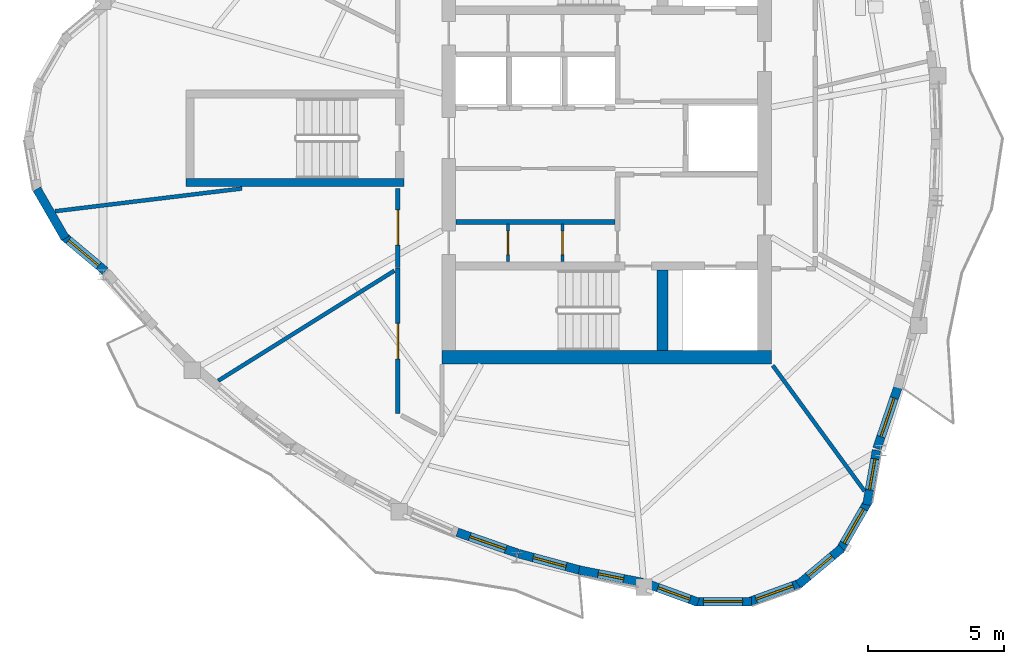
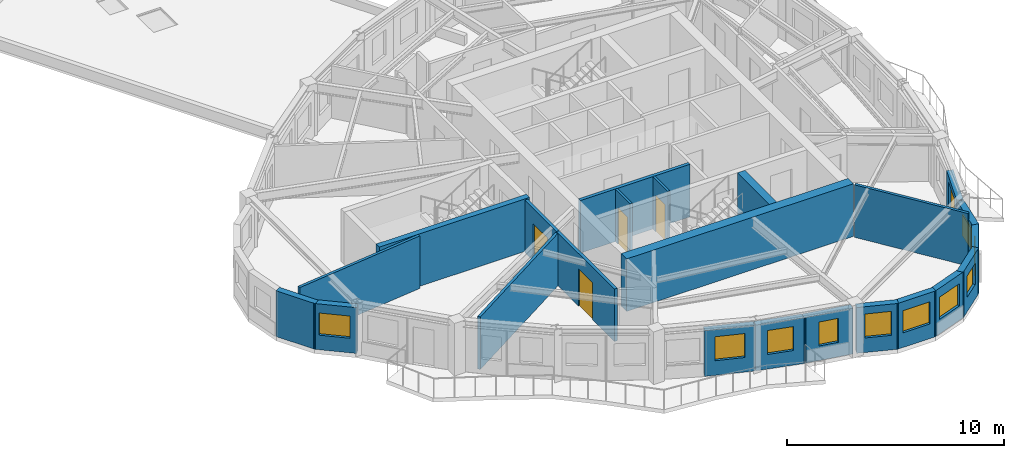
# One storey, part 3 of 11: 23 walls, 11 windows, 4 doors, 15 openings.
"""IFC4 building model written with IfcOpenShell, lengths in metres."""

from ifc_helpers import new_model, si_unit, direction, frame, frame_2d, origin, place, context, subcontext, project, spatial, rectangle, extrude, source, transform, mapped, material, layer, layer_set, type_object, element, fill, save


model = new_model("IFC4")

# Units and contexts
model_context = context("Model", 3, precision=1e-05, world=origin(), true_north=direction((0.0, 1.0)))
body_context = subcontext(model_context, "Body", "Model", "MODEL_VIEW")
ifc_project = project(units=[si_unit("LENGTHUNIT", "METRE"), si_unit("AREAUNIT", "SQUARE_METRE"), si_unit("VOLUMEUNIT", "CUBIC_METRE"), si_unit("PLANEANGLEUNIT", "RADIAN"), si_unit("MASSUNIT", "GRAM", prefix="KILO")], contexts=[model_context])

# Site, building, storey
site_placement = place(None, origin())
site = spatial("IfcSite", under=ifc_project, at=site_placement, CompositionType="ELEMENT")
building_placement = place(site_placement, origin())
building = spatial("IfcBuilding", under=site, at=building_placement, Name="Qafzar Sky-Pleat Residences", CompositionType="ELEMENT")
storey_placement = place(building_placement, frame((0.0, 0.0, 214.800048828125)))
storey = spatial("IfcBuildingStorey", under=building, at=storey_placement, Name="L64", CompositionType="ELEMENT", Elevation=214.800048828125)

# Wall, opening, door
ifc_material_1 = material(Name="Acoustic gypsum plasterboard partition", Category="gypsum")
ifc_layer_1 = layer(ifc_material_1, 0.159912109375)
ifc_layer_set_1 = layer_set([ifc_layer_1], Name="Acoustic gypsum plasterboard partition")
wall_type_1 = type_object("IfcWallType", Name="PART-COR-160", PredefinedType="PARTITIONING", material=ifc_layer_set_1)
wall_1_placement = place(storey_placement, frame((22.679931640625, 21.22607421875, 0.0), z_axis=(0.0, 0.0, 1.0), x_axis=(0.0, -1.0, 0.0)))
wall_1 = element("IfcWall", 1, at=wall_1_placement, inside=storey, type_object=wall_type_1, Name="L64 Partition Wall PART-L64-PW-003", PredefinedType="PARTITIONING", context=body_context, shape_type="SweptSolid", body=[
    extrude(rectangle(XDim=5.34814453125, YDim=0.159912109375, at=frame_2d((2.674072265625, 0.0))), origin(), (0.0, 0.0, 1.0), 2.9599609375),
])
opening_1_placement = place(wall_1_placement, frame((2.032470703125, 0.0, 0.0)))
opening_1 = element("IfcOpeningElement", 2, at=opening_1_placement, cuts=wall_1, Name="Opening ID-05", PredefinedType="OPENING", context=body_context, shape_type="SweptSolid", body=[
    extrude(rectangle(XDim=1.300048828125, YDim=2.10009765625, at=frame_2d((0.64990234375, 1.050048828125))), frame((0.0, 0.08984375, 0.0), z_axis=(0.0, -1.0, 0.0), x_axis=(1.0, 0.0, 0.0)), (0.0, 0.0, 1.0), 0.179931640625),
])
ifc_material_2 = material(Name="Timber-faced fire door", Category="wood")
door_type_1 = type_object("IfcDoorType", Name="DR-LNG-1300", OperationType="DOUBLE_DOOR_SINGLE_SWING", PredefinedType="DOOR", material=ifc_material_2)
shared_shape_1 = source(origin(), body_context, "Body", "SweptSolid", [
    extrude(rectangle(XDim=1.300048828125, YDim=2.10009765625, at=frame_2d((0.64990234375, 1.050048828125))), frame((0.0, 0.02490234375, 0.0), z_axis=(0.0, -1.0, 0.0), x_axis=(1.0, 0.0, 0.0)), (0.0, 0.0, 1.0), 0.050048828125),
])
door_1_placement = place(opening_1_placement, origin())
door_1 = element("IfcDoor", 3, at=door_1_placement, inside=storey, type_object=door_type_1, Name="L64 Academic Seminar Room Door", OperationType="DOUBLE_DOOR_SINGLE_SWING", OverallHeight=2.10009765625, OverallWidth=1.300048828125, PredefinedType="DOOR", context=body_context, shape_type="MappedRepresentation", body=[
    mapped(shared_shape_1, transform((0.0, 0.0, 0.0), x_axis=(1.0, 0.0, 0.0), y_axis=(0.0, 1.0, 0.0), z_axis=(0.0, 0.0, 1.0), scale=1.0)),
])
fill(opening_1, door_1)

wall_2_placement = place(storey_placement, frame((22.679931640625, 21.240966796875, 0.0), z_axis=(0.0, 0.0, 1.0), x_axis=(0.0, 1.0, 0.0)))
wall_2 = element("IfcWall", 4, at=wall_2_placement, inside=storey, type_object=wall_type_1, Name="L64 Partition Wall PART-L64-PW-008", PredefinedType="PARTITIONING", context=body_context, shape_type="SweptSolid", body=[
    extrude(rectangle(XDim=2.908935546875, YDim=0.159912109375, at=frame_2d((1.45458984375, 0.0))), origin(), (0.0, 0.0, 1.0), 2.9599609375),
])
opening_2_placement = place(wall_2_placement, frame((0.825927734375, 0.0, 0.0)))
opening_2 = element("IfcOpeningElement", 5, at=opening_2_placement, cuts=wall_2, Name="Opening ID-05", PredefinedType="OPENING", context=body_context, shape_type="SweptSolid", body=[
    extrude(rectangle(XDim=1.300048828125, YDim=2.10009765625, at=frame_2d((0.64990234375, 1.050048828125))), frame((0.0, 0.08984375, 0.0), z_axis=(0.0, -1.0, 0.0), x_axis=(1.0, 0.0, 0.0)), (0.0, 0.0, 1.0), 0.179931640625),
])
door_2_placement = place(opening_2_placement, origin())
door_2 = element("IfcDoor", 6, at=door_2_placement, inside=storey, type_object=door_type_1, Name="L64 Research Conference Room Door", OperationType="DOUBLE_DOOR_SINGLE_SWING", OverallHeight=2.10009765625, OverallWidth=1.300048828125, PredefinedType="DOOR", context=body_context, shape_type="MappedRepresentation", body=[
    mapped(shared_shape_1, transform((0.0, 0.0, 0.0), x_axis=(1.0, 0.0, 0.0), y_axis=(0.0, 1.0, 0.0), z_axis=(0.0, 0.0, 1.0), scale=1.0)),
])
fill(opening_2, door_2)

# Wall
ifc_material_3 = material(Name="Concrete blockwork partition", Category="masonry")
ifc_layer_2 = layer(ifc_material_3, 0.179931640625)
ifc_layer_set_2 = layer_set([ifc_layer_2], Name="Concrete blockwork partition")
wall_type_2 = type_object("IfcWallType", Name="PART-SHAFT-180", PredefinedType="PARTITIONING", material=ifc_layer_set_2)
wall_3_placement = place(storey_placement, frame((24.81005859375, 22.919921875, 0.0), z_axis=(0.0, 0.0, 1.0), x_axis=(1.0, 0.0, 0.0)))
element("IfcWall", 7, at=wall_3_placement, inside=storey, type_object=wall_type_2, Name="L64 Partition Wall PART-L64-P13-S", PredefinedType="PARTITIONING", context=body_context, shape_type="SweptSolid", body=[
    extrude(rectangle(XDim=5.83984375, YDim=0.179931640625, at=frame_2d((2.919921875, 0.0))), origin(), (0.0, 0.0, 1.0), 2.9599609375),
])

# Wall, opening, door
ifc_material_4 = material(Name="Gypsum plasterboard partition", Category="gypsum")
ifc_layer_3 = layer(ifc_material_4, 0.114990234375)
ifc_layer_set_3 = layer_set([ifc_layer_3], Name="Gypsum plasterboard partition")
wall_type_3 = type_object("IfcWallType", Name="PART-SVC-115", PredefinedType="PARTITIONING", material=ifc_layer_set_3)
wall_4_placement = place(storey_placement, frame((26.72509765625, 21.4599609375, 0.0), z_axis=(0.0, 0.0, 1.0), x_axis=(0.0, 1.0, 0.0)))
wall_4 = element("IfcWall", 8, at=wall_4_placement, inside=storey, type_object=wall_type_3, Name="L64 Partition Wall PART-L64-KC-SW-1", PredefinedType="PARTITIONING", context=body_context, shape_type="SweptSolid", body=[
    extrude(rectangle(XDim=1.380126953125, YDim=0.114990234375, at=frame_2d((0.68994140625, 0.0))), origin(), (0.0, 0.0, 1.0), 2.9599609375),
])
opening_3_placement = place(wall_4_placement, frame((0.260009765625, 0.0, 0.0)))
opening_3 = element("IfcOpeningElement", 9, at=opening_3_placement, cuts=wall_4, Name="Opening ID-09", PredefinedType="OPENING", context=body_context, shape_type="SweptSolid", body=[
    extrude(rectangle(XDim=0.860107421875, YDim=2.050048828125, at=frame_2d((0.43017578125, 1.02490234375))), frame((0.0, 0.0673828125, 0.0), z_axis=(0.0, -1.0, 0.0), x_axis=(1.0, 0.0, 0.0)), (0.0, 0.0, 1.0), 0.135009765625),
])
door_type_2 = type_object("IfcDoorType", Name="DR-SVC-860", OperationType="NOTDEFINED", PredefinedType="DOOR", material=ifc_material_2)
shared_shape_2 = source(origin(), body_context, "Body", "SweptSolid", [
    extrude(rectangle(XDim=0.860107421875, YDim=2.050048828125, at=frame_2d((0.43017578125, 1.02490234375))), frame((0.0, 0.02490234375, 0.0), z_axis=(0.0, -1.0, 0.0), x_axis=(1.0, 0.0, 0.0)), (0.0, 0.0, 1.0), 0.050048828125),
])
door_3_placement = place(opening_3_placement, origin())
door_3 = element("IfcDoor", 10, at=door_3_placement, inside=storey, type_object=door_type_2, Name="L64 Core South Cupboard 1 Door", OperationType="SINGLE_SWING_RIGHT", OverallHeight=2.050048828125, OverallWidth=0.860107421875, PredefinedType="DOOR", context=body_context, shape_type="MappedRepresentation", body=[
    mapped(shared_shape_2, transform((0.0, 0.0, 0.0), x_axis=(1.0, 0.0, 0.0), y_axis=(0.0, 1.0, 0.0), z_axis=(0.0, 0.0, 1.0), scale=1.0)),
])
fill(opening_3, door_3)

wall_5_placement = place(storey_placement, frame((28.72509765625, 21.4599609375, 0.0), z_axis=(0.0, 0.0, 1.0), x_axis=(0.0, 1.0, 0.0)))
wall_5 = element("IfcWall", 11, at=wall_5_placement, inside=storey, type_object=wall_type_3, Name="L64 Partition Wall PART-L64-KC-SW-2", PredefinedType="PARTITIONING", context=body_context, shape_type="SweptSolid", body=[
    extrude(rectangle(XDim=1.380126953125, YDim=0.114990234375, at=frame_2d((0.68994140625, 0.0))), origin(), (0.0, 0.0, 1.0), 2.9599609375),
])
opening_4_placement = place(wall_5_placement, frame((0.260009765625, 0.0, 0.0)))
opening_4 = element("IfcOpeningElement", 12, at=opening_4_placement, cuts=wall_5, Name="Opening ID-09", PredefinedType="OPENING", context=body_context, shape_type="SweptSolid", body=[
    extrude(rectangle(XDim=0.860107421875, YDim=2.050048828125, at=frame_2d((0.43017578125, 1.02490234375))), frame((0.0, 0.0673828125, 0.0), z_axis=(0.0, -1.0, 0.0), x_axis=(1.0, 0.0, 0.0)), (0.0, 0.0, 1.0), 0.135009765625),
])
door_4_placement = place(opening_4_placement, origin())
door_4 = element("IfcDoor", 13, at=door_4_placement, inside=storey, type_object=door_type_2, Name="L64 Core South Cupboard 2 Door", OperationType="SINGLE_SWING_RIGHT", OverallHeight=2.050048828125, OverallWidth=0.860107421875, PredefinedType="DOOR", context=body_context, shape_type="MappedRepresentation", body=[
    mapped(shared_shape_2, transform((0.0, 0.0, 0.0), x_axis=(1.0, 0.0, 0.0), y_axis=(0.0, 1.0, 0.0), z_axis=(0.0, 0.0, 1.0), scale=1.0)),
])
fill(opening_4, door_4)

# Walls
ifc_layer_4 = layer(ifc_material_1, 0.14501953125)
ifc_layer_set_4 = layer_set([ifc_layer_4], Name="Acoustic gypsum plasterboard partition")
wall_type_4 = type_object("IfcWallType", Name="PART-UNIT-145", PredefinedType="PARTITIONING", material=ifc_layer_set_4)
wall_6_placement = place(storey_placement, frame((16.082763671875, 17.087646484375, 0.0), z_axis=(0.0, 0.0, 1.0), x_axis=(0.848100737451, 0.529835011239, 0.0)))
element("IfcWall", 14, at=wall_6_placement, inside=storey, type_object=wall_type_4, Name="L64 Partition Wall PART-L64-PW-012", PredefinedType="PARTITIONING", context=body_context, shape_type="SweptSolid", body=[
    extrude(rectangle(XDim=7.631103515625, YDim=0.14501953125, at=frame_2d((3.8154296875, 0.0))), origin(), (0.0, 0.0, 1.0), 2.9599609375),
])
wall_7_placement = place(storey_placement, frame((10.087158203125, 23.31494140625, 0.0), z_axis=(0.0, 0.0, 1.0), x_axis=(0.992692853732, 0.120668546642, 0.0)))
element("IfcWall", 15, at=wall_7_placement, inside=storey, type_object=wall_type_4, Name="L64 Partition Wall PART-L64-PW-013", PredefinedType="PARTITIONING", context=body_context, shape_type="SweptSolid", body=[
    extrude(rectangle(XDim=6.91943359375, YDim=0.14501953125, at=frame_2d((3.459716796875, 0.0))), origin(), (0.0, 0.0, 1.0), 2.9599609375),
])
wall_8_placement = place(storey_placement, frame((36.451904296875, 17.65087890625, 0.0), z_axis=(0.0, 0.0, 1.0), x_axis=(0.58995882053, -0.807433334758, 0.0)))
element("IfcWall", 16, at=wall_8_placement, inside=storey, type_object=wall_type_4, Name="L64 Partition Wall PART-L64-PW-016", PredefinedType="PARTITIONING", context=body_context, shape_type="SweptSolid", body=[
    extrude(rectangle(XDim=5.721923828125, YDim=0.14501953125, at=frame_2d((2.86083984375, 0.0))), origin(), (0.0, 0.0, 1.0), 2.9599609375),
])
ifc_material_5 = material(Name="Precast concrete C40/50 with honed Riyadh limestone", Category="concrete")
ifc_layer_5 = layer(ifc_material_5, 0.320068359375)
ifc_layer_set_5 = layer_set([ifc_layer_5], Name="Precast concrete C40/50 with honed Riyadh limestone")
wall_type_5 = type_object("IfcWallType", Name="WALL-EXT-320", PredefinedType="SOLIDWALL", material=ifc_layer_set_5)
wall_9_placement = place(storey_placement, frame((9.41943359375, 24.129150390625, 0.0), z_axis=(0.0, 0.0, 1.0), x_axis=(0.499995423472, -0.866028046028, 0.0)))
element("IfcWall", 17, at=wall_9_placement, inside=storey, type_object=wall_type_5, Name="L64 Limestone Facade Wall 5", PredefinedType="SOLIDWALL", context=body_context, shape_type="SweptSolid", body=[
    extrude(rectangle(XDim=2.09033203125, YDim=0.320068359375, at=frame_2d((1.045166015625, 0.0))), origin(), (0.0, 0.0, 1.0), 2.579833984375),
])

# Wall, opening, window
wall_10_placement = place(storey_placement, frame((10.380615234375, 22.418701171875, 0.0), z_axis=(0.0, 0.0, 1.0), x_axis=(0.766099948115, -0.642721455608, 0.0)))
wall_10 = element("IfcWall", 18, at=wall_10_placement, inside=storey, type_object=wall_type_5, Name="L64 Limestone Facade Wall 6", PredefinedType="SOLIDWALL", context=body_context, shape_type="SweptSolid", body=[
    extrude(rectangle(XDim=2.0322265625, YDim=0.320068359375, at=frame_2d((1.01611328125, 0.0))), origin(), (0.0, 0.0, 1.0), 2.579833984375),
])
opening_5_placement = place(wall_10_placement, frame((0.26123046875, 0.0, 0.820068359375)))
opening_5 = element("IfcOpeningElement", 19, at=opening_5_placement, cuts=wall_10, Name="Opening WN-15", PredefinedType="OPENING", context=body_context, shape_type="SweptSolid", body=[
    extrude(rectangle(XDim=1.449951171875, YDim=1.25, at=frame_2d((0.72509765625, 0.625))), frame((0.0, 0.169921875, 0.0), z_axis=(0.0, -1.0, 0.0), x_axis=(1.0, 0.0, 0.0)), (0.0, 0.0, 1.0), 0.340087890625),
])
ifc_material_6 = material(Name="Solar-control low-E glass in bronze aluminium frame", Category="glass")
window_type_1 = type_object("IfcWindowType", Name="WIN-15", PartitioningType="SINGLE_PANEL", PredefinedType="WINDOW", material=ifc_material_6)
shared_shape_3 = source(origin(), body_context, "Body", "SweptSolid", [
    extrude(rectangle(XDim=1.449951171875, YDim=1.25, at=frame_2d((0.72509765625, 0.625))), frame((0.0, 0.030029296875, 0.0), z_axis=(0.0, -1.0, 0.0), x_axis=(1.0, 0.0, 0.0)), (0.0, 0.0, 1.0), 0.06005859375),
])
window_1_placement = place(opening_5_placement, origin())
window_1 = element("IfcWindow", 20, at=window_1_placement, inside=storey, type_object=window_type_1, Name="L64 Punched Facade Window 06", OverallHeight=1.25, OverallWidth=1.449951171875, PartitioningType="SINGLE_PANEL", PredefinedType="WINDOW", context=body_context, shape_type="MappedRepresentation", body=[
    mapped(shared_shape_3, transform((0.0, 0.0, 0.0), x_axis=(1.0, 0.0, 0.0), y_axis=(0.0, 1.0, 0.0), z_axis=(0.0, 0.0, 1.0), scale=1.0)),
])
fill(opening_5, window_1)

wall_11_placement = place(storey_placement, frame((24.863525390625, 11.522216796875, 0.0), z_axis=(0.0, 0.0, 1.0), x_axis=(0.944161921953, -0.329481813054, 0.0)))
wall_11 = element("IfcWall", 21, at=wall_11_placement, inside=storey, type_object=wall_type_5, Name="L64 Limestone Facade Wall 14", PredefinedType="SOLIDWALL", context=body_context, shape_type="SweptSolid", body=[
    extrude(rectangle(XDim=2.35400390625, YDim=0.320068359375, at=frame_2d((1.177001953125, 0.0))), origin(), (0.0, 0.0, 1.0), 2.579833984375),
])
opening_6_placement = place(wall_11_placement, frame((0.487060546875, 0.0, 0.820068359375)))
opening_6 = element("IfcOpeningElement", 22, at=opening_6_placement, cuts=wall_11, Name="Opening WN-10", PredefinedType="OPENING", context=body_context, shape_type="SweptSolid", body=[
    extrude(rectangle(XDim=1.39990234375, YDim=1.35009765625, at=frame_2d((0.699951171875, 0.675048828125))), frame((0.0, 0.169921875, 0.0), z_axis=(0.0, -1.0, 0.0), x_axis=(1.0, 0.0, 0.0)), (0.0, 0.0, 1.0), 0.340087890625),
])
window_type_2 = type_object("IfcWindowType", Name="WIN-10", PartitioningType="SINGLE_PANEL", PredefinedType="WINDOW", material=ifc_material_6)
shared_shape_4 = source(origin(), body_context, "Body", "SweptSolid", [
    extrude(rectangle(XDim=1.39990234375, YDim=1.35009765625, at=frame_2d((0.699951171875, 0.675048828125))), frame((0.0, 0.030029296875, 0.0), z_axis=(0.0, -1.0, 0.0), x_axis=(1.0, 0.0, 0.0)), (0.0, 0.0, 1.0), 0.06005859375),
])
window_2_placement = place(opening_6_placement, origin())
window_2 = element("IfcWindow", 23, at=window_2_placement, inside=storey, type_object=window_type_2, Name="L64 Punched Facade Window 14", OverallHeight=1.35009765625, OverallWidth=1.39990234375, PartitioningType="SINGLE_PANEL", PredefinedType="WINDOW", context=body_context, shape_type="MappedRepresentation", body=[
    mapped(shared_shape_4, transform((0.0, 0.0, 0.0), x_axis=(1.0, 0.0, 0.0), y_axis=(0.0, 1.0, 0.0), z_axis=(0.0, 0.0, 1.0), scale=1.0)),
])
fill(opening_6, window_2)

wall_12_placement = place(storey_placement, frame((27.11328125, 10.738037109375, 0.0), z_axis=(0.0, 0.0, 1.0), x_axis=(0.965455009368, -0.260569808087, 0.0)))
wall_12 = element("IfcWall", 24, at=wall_12_placement, inside=storey, type_object=wall_type_5, Name="L64 Limestone Facade Wall 15", PredefinedType="SOLIDWALL", context=body_context, shape_type="SweptSolid", body=[
    extrude(rectangle(XDim=2.39306640625, YDim=0.320068359375, at=frame_2d((1.196533203125, 0.0))), origin(), (0.0, 0.0, 1.0), 2.579833984375),
])
opening_7_placement = place(wall_12_placement, frame((0.561279296875, 0.0, 0.820068359375)))
opening_7 = element("IfcOpeningElement", 25, at=opening_7_placement, cuts=wall_12, Name="Opening WN-11", PredefinedType="OPENING", context=body_context, shape_type="SweptSolid", body=[
    extrude(rectangle(XDim=1.25, YDim=1.35009765625, at=frame_2d((0.625, 0.675048828125))), frame((0.0, 0.169921875, 0.0), z_axis=(0.0, -1.0, 0.0), x_axis=(1.0, 0.0, 0.0)), (0.0, 0.0, 1.0), 0.340087890625),
])
window_type_3 = type_object("IfcWindowType", Name="WIN-11", PartitioningType="SINGLE_PANEL", PredefinedType="WINDOW", material=ifc_material_6)
shared_shape_5 = source(origin(), body_context, "Body", "SweptSolid", [
    extrude(rectangle(XDim=1.25, YDim=1.35009765625, at=frame_2d((0.625, 0.675048828125))), frame((0.0, 0.030029296875, 0.0), z_axis=(0.0, -1.0, 0.0), x_axis=(1.0, 0.0, 0.0)), (0.0, 0.0, 1.0), 0.06005859375),
])
window_3_placement = place(opening_7_placement, origin())
window_3 = element("IfcWindow", 26, at=window_3_placement, inside=storey, type_object=window_type_3, Name="L64 Punched Facade Window 15", OverallHeight=1.35009765625, OverallWidth=1.25, PartitioningType="SINGLE_PANEL", PredefinedType="WINDOW", context=body_context, shape_type="MappedRepresentation", body=[
    mapped(shared_shape_5, transform((0.0, 0.0, 0.0), x_axis=(1.0, 0.0, 0.0), y_axis=(0.0, 1.0, 0.0), z_axis=(0.0, 0.0, 1.0), scale=1.0)),
])
fill(opening_7, window_3)

wall_13_placement = place(storey_placement, frame((29.338623046875, 10.13427734375, 0.0), z_axis=(0.0, 0.0, 1.0), x_axis=(0.98122414649, -0.192870874795, 0.0)))
wall_13 = element("IfcWall", 27, at=wall_13_placement, inside=storey, type_object=wall_type_5, Name="L64 Limestone Facade Wall 16", PredefinedType="SOLIDWALL", context=body_context, shape_type="SweptSolid", body=[
    extrude(rectangle(XDim=2.37353515625, YDim=0.320068359375, at=frame_2d((1.186767578125, 0.0))), origin(), (0.0, 0.0, 1.0), 2.579833984375),
])
opening_8_placement = place(wall_13_placement, frame((0.716796875, 0.0, 0.820068359375)))
opening_8 = element("IfcOpeningElement", 28, at=opening_8_placement, cuts=wall_13, Name="Opening WN-12", PredefinedType="OPENING", context=body_context, shape_type="SweptSolid", body=[
    extrude(rectangle(XDim=0.949951171875, YDim=1.35009765625, at=frame_2d((0.47509765625, 0.675048828125))), frame((0.0, 0.169921875, 0.0), z_axis=(0.0, -1.0, 0.0), x_axis=(1.0, 0.0, 0.0)), (0.0, 0.0, 1.0), 0.340087890625),
])
window_type_4 = type_object("IfcWindowType", Name="WIN-12", PartitioningType="SINGLE_PANEL", PredefinedType="WINDOW", material=ifc_material_6)
shared_shape_6 = source(origin(), body_context, "Body", "SweptSolid", [
    extrude(rectangle(XDim=0.949951171875, YDim=1.35009765625, at=frame_2d((0.47509765625, 0.675048828125))), frame((0.0, 0.030029296875, 0.0), z_axis=(0.0, -1.0, 0.0), x_axis=(1.0, 0.0, 0.0)), (0.0, 0.0, 1.0), 0.06005859375),
])
window_4_placement = place(opening_8_placement, origin())
window_4 = element("IfcWindow", 29, at=window_4_placement, inside=storey, type_object=window_type_4, Name="L64 Punched Facade Window 16", OverallHeight=1.35009765625, OverallWidth=0.949951171875, PartitioningType="SINGLE_PANEL", PredefinedType="WINDOW", context=body_context, shape_type="MappedRepresentation", body=[
    mapped(shared_shape_6, transform((0.0, 0.0, 0.0), x_axis=(1.0, 0.0, 0.0), y_axis=(0.0, 1.0, 0.0), z_axis=(0.0, 0.0, 1.0), scale=1.0)),
])
fill(opening_8, window_4)

wall_14_placement = place(storey_placement, frame((31.8642578125, 9.621826171875, 0.0), z_axis=(0.0, 0.0, 1.0), x_axis=(0.939695306975, -0.342012762991, 0.0)))
wall_14 = element("IfcWall", 30, at=wall_14_placement, inside=storey, type_object=wall_type_5, Name="L64 Limestone Facade Wall 17", PredefinedType="SOLIDWALL", context=body_context, shape_type="SweptSolid", body=[
    extrude(rectangle(XDim=1.96240234375, YDim=0.320068359375, at=frame_2d((0.981201171875, 0.0))), origin(), (0.0, 0.0, 1.0), 2.579833984375),
])
opening_9_placement = place(wall_14_placement, frame((0.39111328125, 0.0, 0.820068359375)))
opening_9 = element("IfcOpeningElement", 31, at=opening_9_placement, cuts=wall_14, Name="Opening WN-11", PredefinedType="OPENING", context=body_context, shape_type="SweptSolid", body=[
    extrude(rectangle(XDim=1.25, YDim=1.35009765625, at=frame_2d((0.625, 0.675048828125))), frame((0.0, 0.169921875, 0.0), z_axis=(0.0, -1.0, 0.0), x_axis=(1.0, 0.0, 0.0)), (0.0, 0.0, 1.0), 0.340087890625),
])
window_5_placement = place(opening_9_placement, origin())
window_5 = element("IfcWindow", 32, at=window_5_placement, inside=storey, type_object=window_type_3, Name="L64 Punched Facade Window 17", OverallHeight=1.35009765625, OverallWidth=1.25, PartitioningType="SINGLE_PANEL", PredefinedType="WINDOW", context=body_context, shape_type="MappedRepresentation", body=[
    mapped(shared_shape_5, transform((0.0, 0.0, 0.0), x_axis=(1.0, 0.0, 0.0), y_axis=(0.0, 1.0, 0.0), z_axis=(0.0, 0.0, 1.0), scale=1.0)),
])
fill(opening_9, window_5)

wall_15_placement = place(storey_placement, frame((33.579833984375, 8.973388671875, 0.0), z_axis=(0.0, 0.0, 1.0), x_axis=(1.0, 0.0, 0.0)))
wall_15 = element("IfcWall", 33, at=wall_15_placement, inside=storey, type_object=wall_type_5, Name="L64 Limestone Facade Wall 18", PredefinedType="SOLIDWALL", context=body_context, shape_type="SweptSolid", body=[
    extrude(rectangle(XDim=2.09033203125, YDim=0.320068359375, at=frame_2d((1.045166015625, 0.0))), origin(), (0.0, 0.0, 1.0), 2.579833984375),
])
opening_10_placement = place(wall_15_placement, frame((0.3203125, 0.0, 0.820068359375)))
opening_10 = element("IfcOpeningElement", 34, at=opening_10_placement, cuts=wall_15, Name="Opening WN-15", PredefinedType="OPENING", context=body_context, shape_type="SweptSolid", body=[
    extrude(rectangle(XDim=1.449951171875, YDim=1.25, at=frame_2d((0.72509765625, 0.625))), frame((0.0, 0.169921875, 0.0), z_axis=(0.0, -1.0, 0.0), x_axis=(1.0, 0.0, 0.0)), (0.0, 0.0, 1.0), 0.340087890625),
])
window_6_placement = place(opening_10_placement, origin())
window_6 = element("IfcWindow", 35, at=window_6_placement, inside=storey, type_object=window_type_1, Name="L64 Punched Facade Window 18", OverallHeight=1.25, OverallWidth=1.449951171875, PartitioningType="SINGLE_PANEL", PredefinedType="WINDOW", context=body_context, shape_type="MappedRepresentation", body=[
    mapped(shared_shape_3, transform((0.0, 0.0, 0.0), x_axis=(1.0, 0.0, 0.0), y_axis=(0.0, 1.0, 0.0), z_axis=(0.0, 0.0, 1.0), scale=1.0)),
])
fill(opening_10, window_6)

wall_16_placement = place(storey_placement, frame((35.541748046875, 8.95068359375, 0.0), z_axis=(0.0, 0.0, 1.0), x_axis=(0.939711556618, 0.341968113072, 0.0)))
wall_16 = element("IfcWall", 36, at=wall_16_placement, inside=storey, type_object=wall_type_5, Name="L64 Limestone Facade Wall 19", PredefinedType="SOLIDWALL", context=body_context, shape_type="SweptSolid", body=[
    extrude(rectangle(XDim=2.09033203125, YDim=0.320068359375, at=frame_2d((1.045166015625, 0.0))), origin(), (0.0, 0.0, 1.0), 2.579833984375),
])
opening_11_placement = place(wall_16_placement, frame((0.320068359375, 0.0, 0.820068359375)))
opening_11 = element("IfcOpeningElement", 37, at=opening_11_placement, cuts=wall_16, Name="Opening WN-15", PredefinedType="OPENING", context=body_context, shape_type="SweptSolid", body=[
    extrude(rectangle(XDim=1.449951171875, YDim=1.25, at=frame_2d((0.72509765625, 0.625))), frame((0.0, 0.169921875, 0.0), z_axis=(0.0, -1.0, 0.0), x_axis=(1.0, 0.0, 0.0)), (0.0, 0.0, 1.0), 0.340087890625),
])
window_7_placement = place(opening_11_placement, origin())
window_7 = element("IfcWindow", 38, at=window_7_placement, inside=storey, type_object=window_type_1, Name="L64 Punched Facade Window 19", OverallHeight=1.25, OverallWidth=1.449951171875, PartitioningType="SINGLE_PANEL", PredefinedType="WINDOW", context=body_context, shape_type="MappedRepresentation", body=[
    mapped(shared_shape_3, transform((0.0, 0.0, 0.0), x_axis=(1.0, 0.0, 0.0), y_axis=(0.0, 1.0, 0.0), z_axis=(0.0, 0.0, 1.0), scale=1.0)),
])
fill(opening_11, window_7)

wall_17_placement = place(storey_placement, frame((37.39306640625, 9.600341796875, 0.0), z_axis=(0.0, 0.0, 1.0), x_axis=(0.766024572719, 0.642811289563, 0.0)))
wall_17 = element("IfcWall", 39, at=wall_17_placement, inside=storey, type_object=wall_type_5, Name="L64 Limestone Facade Wall 20", PredefinedType="SOLIDWALL", context=body_context, shape_type="SweptSolid", body=[
    extrude(rectangle(XDim=2.09033203125, YDim=0.320068359375, at=frame_2d((1.045166015625, 0.0))), origin(), (0.0, 0.0, 1.0), 2.579833984375),
])
opening_12_placement = place(wall_17_placement, frame((0.47021484375, 0.0, 0.820068359375)))
opening_12 = element("IfcOpeningElement", 40, at=opening_12_placement, cuts=wall_17, Name="Opening WN-16", PredefinedType="OPENING", context=body_context, shape_type="SweptSolid", body=[
    extrude(rectangle(XDim=1.14990234375, YDim=1.199951171875, at=frame_2d((0.574951171875, 0.60009765625))), frame((0.0, 0.169921875, 0.0), z_axis=(0.0, -1.0, 0.0), x_axis=(1.0, 0.0, 0.0)), (0.0, 0.0, 1.0), 0.340087890625),
])
window_type_5 = type_object("IfcWindowType", Name="WIN-16", PartitioningType="SINGLE_PANEL", PredefinedType="WINDOW", material=ifc_material_6)
shared_shape_7 = source(origin(), body_context, "Body", "SweptSolid", [
    extrude(rectangle(XDim=1.14990234375, YDim=1.199951171875, at=frame_2d((0.574951171875, 0.60009765625))), frame((0.0, 0.030029296875, 0.0), z_axis=(0.0, -1.0, 0.0), x_axis=(1.0, 0.0, 0.0)), (0.0, 0.0, 1.0), 0.06005859375),
])
window_8_placement = place(opening_12_placement, origin())
window_8 = element("IfcWindow", 41, at=window_8_placement, inside=storey, type_object=window_type_5, Name="L64 Punched Facade Window 20", OverallHeight=1.199951171875, OverallWidth=1.14990234375, PartitioningType="SINGLE_PANEL", PredefinedType="WINDOW", context=body_context, shape_type="MappedRepresentation", body=[
    mapped(shared_shape_7, transform((0.0, 0.0, 0.0), x_axis=(1.0, 0.0, 0.0), y_axis=(0.0, 1.0, 0.0), z_axis=(0.0, 0.0, 1.0), scale=1.0)),
])
fill(opening_12, window_8)

wall_18_placement = place(storey_placement, frame((38.910400390625, 10.843994140625, 0.0), z_axis=(0.0, 0.0, 1.0), x_axis=(0.499995423472, 0.866028046028, 0.0)))
wall_18 = element("IfcWall", 42, at=wall_18_placement, inside=storey, type_object=wall_type_5, Name="L64 Limestone Facade Wall 21", PredefinedType="SOLIDWALL", context=body_context, shape_type="SweptSolid", body=[
    extrude(rectangle(XDim=2.09033203125, YDim=0.320068359375, at=frame_2d((1.045166015625, 0.0))), origin(), (0.0, 0.0, 1.0), 2.579833984375),
])
opening_13_placement = place(wall_18_placement, frame((0.320068359375, 0.0, 0.820068359375)))
opening_13 = element("IfcOpeningElement", 43, at=opening_13_placement, cuts=wall_18, Name="Opening WN-15", PredefinedType="OPENING", context=body_context, shape_type="SweptSolid", body=[
    extrude(rectangle(XDim=1.449951171875, YDim=1.25, at=frame_2d((0.72509765625, 0.625))), frame((0.0, 0.169921875, 0.0), z_axis=(0.0, -1.0, 0.0), x_axis=(1.0, 0.0, 0.0)), (0.0, 0.0, 1.0), 0.340087890625),
])
window_9_placement = place(opening_13_placement, origin())
window_9 = element("IfcWindow", 44, at=window_9_placement, inside=storey, type_object=window_type_1, Name="L64 Punched Facade Window 21", OverallHeight=1.25, OverallWidth=1.449951171875, PartitioningType="SINGLE_PANEL", PredefinedType="WINDOW", context=body_context, shape_type="MappedRepresentation", body=[
    mapped(shared_shape_3, transform((0.0, 0.0, 0.0), x_axis=(1.0, 0.0, 0.0), y_axis=(0.0, 1.0, 0.0), z_axis=(0.0, 0.0, 1.0), scale=1.0)),
])
fill(opening_13, window_9)

wall_19_placement = place(storey_placement, frame((39.910888671875, 12.53173828125, 0.0), z_axis=(0.0, 0.0, 1.0), x_axis=(0.17370309897, 0.984798067326, 0.0)))
wall_19 = element("IfcWall", 45, at=wall_19_placement, inside=storey, type_object=wall_type_5, Name="L64 Limestone Facade Wall 22", PredefinedType="SOLIDWALL", context=body_context, shape_type="SweptSolid", body=[
    extrude(rectangle(XDim=2.032470703125, YDim=0.320068359375, at=frame_2d((1.01611328125, 0.0))), origin(), (0.0, 0.0, 1.0), 2.579833984375),
])
opening_14_placement = place(wall_19_placement, frame((0.560791015625, 0.0, 0.820068359375)))
opening_14 = element("IfcOpeningElement", 46, at=opening_14_placement, cuts=wall_19, Name="Opening WN-16", PredefinedType="OPENING", context=body_context, shape_type="SweptSolid", body=[
    extrude(rectangle(XDim=1.14990234375, YDim=1.199951171875, at=frame_2d((0.574951171875, 0.60009765625))), frame((0.0, 0.169921875, 0.0), z_axis=(0.0, -1.0, 0.0), x_axis=(1.0, 0.0, 0.0)), (0.0, 0.0, 1.0), 0.340087890625),
])
window_10_placement = place(opening_14_placement, origin())
window_10 = element("IfcWindow", 47, at=window_10_placement, inside=storey, type_object=window_type_5, Name="L64 Punched Facade Window 22-2", OverallHeight=1.199951171875, OverallWidth=1.14990234375, PartitioningType="SINGLE_PANEL", PredefinedType="WINDOW", context=body_context, shape_type="MappedRepresentation", body=[
    mapped(shared_shape_7, transform((0.0, 0.0, 0.0), x_axis=(1.0, 0.0, 0.0), y_axis=(0.0, 1.0, 0.0), z_axis=(0.0, 0.0, 1.0), scale=1.0)),
])
fill(opening_14, window_10)

wall_20_placement = place(storey_placement, frame((40.280029296875, 14.595947265625, 0.0), z_axis=(0.0, 0.0, 1.0), x_axis=(0.323652367975, 0.946176064326, 0.0)))
wall_20 = element("IfcWall", 48, at=wall_20_placement, inside=storey, type_object=wall_type_5, Name="L64 Limestone Facade Wall 23", PredefinedType="SOLIDWALL", context=body_context, shape_type="SweptSolid", body=[
    extrude(rectangle(XDim=2.443359375, YDim=0.320068359375, at=frame_2d((1.2216796875, 0.0))), origin(), (0.0, 0.0, 1.0), 2.579833984375),
])
opening_15_placement = place(wall_20_placement, frame((0.461669921875, 0.0, 0.820068359375)))
opening_15 = element("IfcOpeningElement", 49, at=opening_15_placement, cuts=wall_20, Name="Opening WN-03", PredefinedType="OPENING", context=body_context, shape_type="SweptSolid", body=[
    extrude(rectangle(XDim=1.5, YDim=1.449951171875, at=frame_2d((0.75, 0.72509765625))), frame((0.0, 0.169921875, 0.0), z_axis=(0.0, -1.0, 0.0), x_axis=(1.0, 0.0, 0.0)), (0.0, 0.0, 1.0), 0.340087890625),
])
window_type_6 = type_object("IfcWindowType", Name="WIN-03", PartitioningType="DOUBLE_PANEL_VERTICAL", PredefinedType="WINDOW", material=ifc_material_6)
shared_shape_8 = source(origin(), body_context, "Body", "SweptSolid", [
    extrude(rectangle(XDim=1.5, YDim=1.449951171875, at=frame_2d((0.75, 0.72509765625))), frame((0.0, 0.030029296875, 0.0), z_axis=(0.0, -1.0, 0.0), x_axis=(1.0, 0.0, 0.0)), (0.0, 0.0, 1.0), 0.06005859375),
])
window_11_placement = place(opening_15_placement, origin())
window_11 = element("IfcWindow", 50, at=window_11_placement, inside=storey, type_object=window_type_6, Name="L64 Punched Facade Window 23", OverallHeight=1.449951171875, OverallWidth=1.5, PartitioningType="SINGLE_PANEL", PredefinedType="WINDOW", context=body_context, shape_type="MappedRepresentation", body=[
    mapped(shared_shape_8, transform((0.0, 0.0, 0.0), x_axis=(1.0, 0.0, 0.0), y_axis=(0.0, 1.0, 0.0), z_axis=(0.0, 0.0, 1.0), scale=1.0)),
])
fill(opening_15, window_11)

# Walls
ifc_material_7 = material(Name="Concrete C60/75", Category="concrete")
ifc_layer_6 = layer(ifc_material_7, 0.300048828125)
ifc_layer_set_6 = layer_set([ifc_layer_6], Name="Concrete C60/75")
wall_type_6 = type_object("IfcWallType", Name="WALL-SHEAR-300", PredefinedType="SHEAR", material=ifc_layer_set_6)
wall_21_placement = place(storey_placement, frame((14.89990234375, 24.375, 0.0), z_axis=(0.0, 0.0, 1.0), x_axis=(1.0, 0.0, 0.0)))
element("IfcWall", 51, at=wall_21_placement, inside=storey, type_object=wall_type_6, Name="L64 ST3 wall S", PredefinedType="SHEAR", context=body_context, shape_type="SweptSolid", body=[
    extrude(rectangle(XDim=8.0, YDim=0.300048828125, at=frame_2d((4.0, 0.0))), origin(), (0.0, 0.0, 1.0), 2.9599609375),
])
ifc_layer_7 = layer(ifc_material_7, 0.39990234375)
ifc_layer_set_7 = layer_set([ifc_layer_7], Name="Concrete C60/75")
wall_type_7 = type_object("IfcWallType", Name="WALL-SHEAR-400", PredefinedType="SHEAR", material=ifc_layer_set_7)
wall_22_placement = place(storey_placement, frame((32.39990234375, 18.199951171875, 0.0), z_axis=(0.0, 0.0, 1.0), x_axis=(0.0, 1.0, 0.0)))
element("IfcWall", 52, at=wall_22_placement, inside=storey, type_object=wall_type_7, Name="L64 Stair ST1 East Dividing Wall", PredefinedType="SHEAR", context=body_context, shape_type="SweptSolid", body=[
    extrude(rectangle(XDim=2.949951171875, YDim=0.39990234375, at=frame_2d((1.47509765625, 0.0))), origin(), (0.0, 0.0, 1.0), 2.9599609375),
])
ifc_layer_8 = layer(ifc_material_7, 0.5)
ifc_layer_set_8 = layer_set([ifc_layer_8], Name="Concrete C60/75")
wall_type_8 = type_object("IfcWallType", Name="WALL-SHEAR-500", PredefinedType="SHEAR", material=ifc_layer_set_8)
wall_23_placement = place(storey_placement, frame((24.300048828125, 17.949951171875, 0.0), z_axis=(0.0, 0.0, 1.0), x_axis=(1.0, 0.0, 0.0)))
element("IfcWall", 53, at=wall_23_placement, inside=storey, type_object=wall_type_8, Name="L64 CORE wall S", PredefinedType="SHEAR", context=body_context, shape_type="SweptSolid", body=[
    extrude(rectangle(XDim=12.099853515625, YDim=0.5, at=frame_2d((6.0498046875, 0.0))), origin(), (0.0, 0.0, 1.0), 2.9599609375),
])

save(model, "model.ifc")
